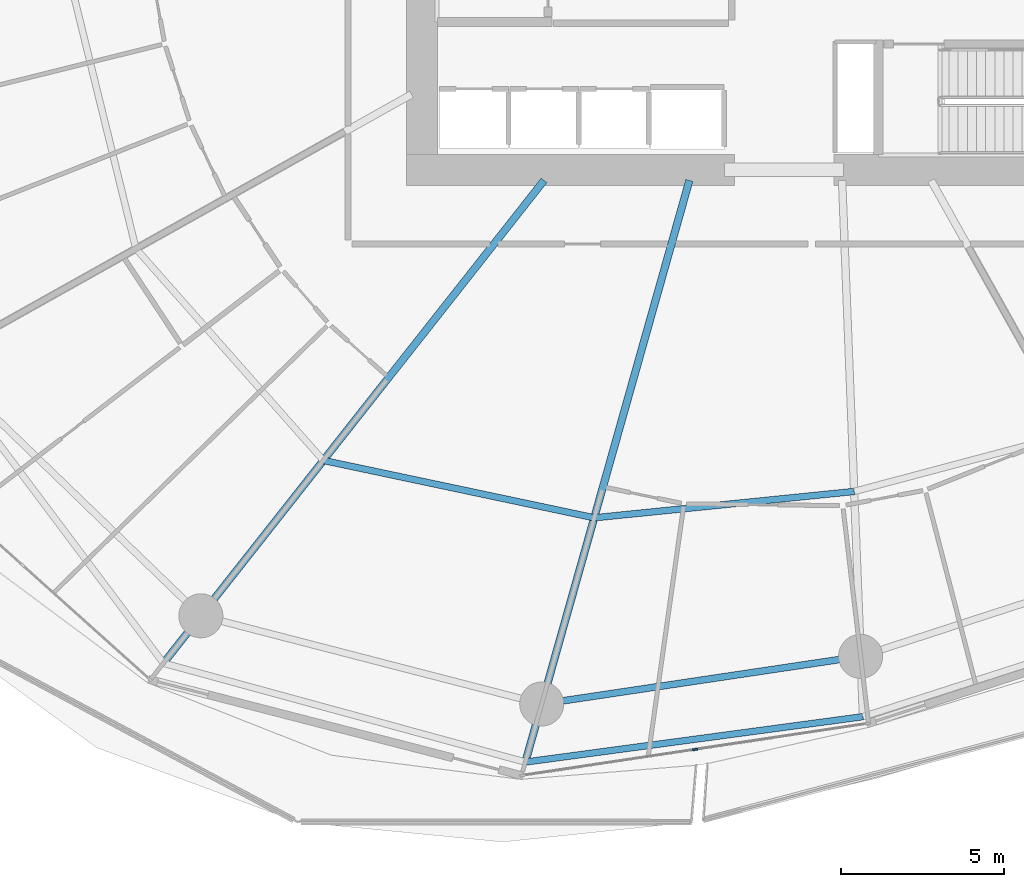
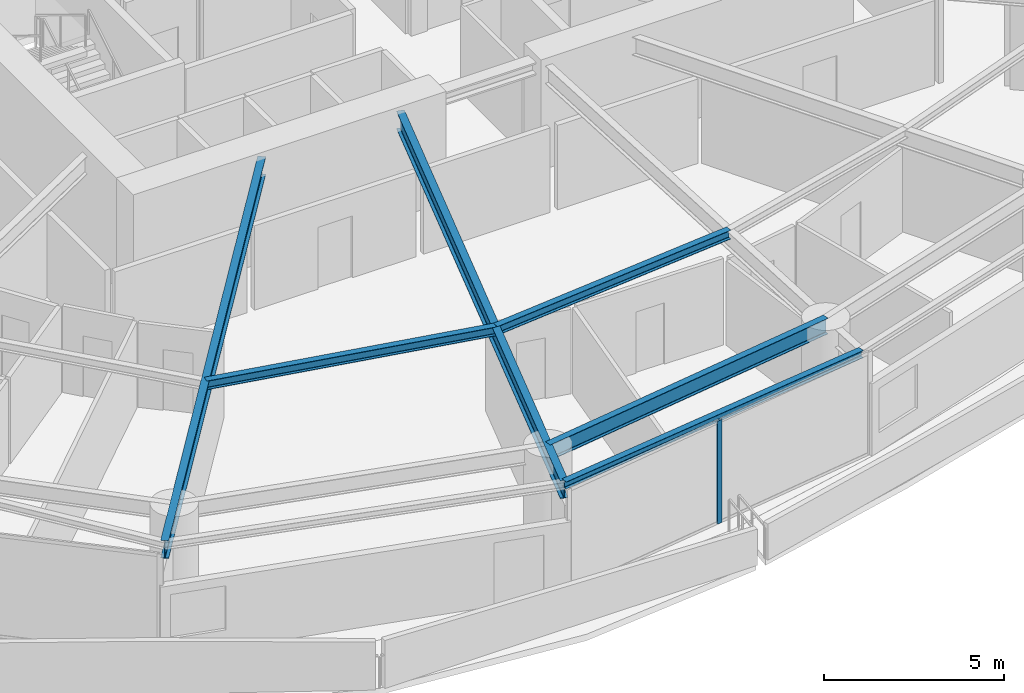
# One storey, part 7 of 31: 6 beams, 1 member, 1 element without a shape of its own.
"""IFC4 building model written with IfcOpenShell, lengths in metres."""

from ifc_helpers import new_model, si_unit, direction, frame, origin, origin_2d, place, context, subcontext, project, spatial, rectangle, i_section, extrude, material, layer, layer_set, material_profile, profile_set, type_object, element, aggregate, save


model = new_model("IFC4")

# Units and contexts
model_context = context("Model", 3, precision=1e-05, world=origin(), true_north=direction((0.0, 1.0)))
body_context = subcontext(model_context, "Body", "Model", "MODEL_VIEW")
ifc_project = project(units=[si_unit("LENGTHUNIT", "METRE"), si_unit("AREAUNIT", "SQUARE_METRE"), si_unit("VOLUMEUNIT", "CUBIC_METRE"), si_unit("PLANEANGLEUNIT", "RADIAN"), si_unit("MASSUNIT", "GRAM", prefix="KILO")], contexts=[model_context])

# Site, building, storey
site_placement = place(None, origin())
site = spatial("IfcSite", under=ifc_project, at=site_placement, CompositionType="ELEMENT")
building_placement = place(site_placement, origin())
building = spatial("IfcBuilding", under=site, at=building_placement, Name="Kazma Halo Residences", CompositionType="ELEMENT")
storey_placement = place(building_placement, frame((0.0, 0.0, 60.14990234375)))
storey = spatial("IfcBuildingStorey", under=building, at=storey_placement, Name="L14", CompositionType="ELEMENT", Elevation=60.14990234375)

# Beams
ifc_material_1 = material(Name="Steel S355", Category="steel")
ifc_material_profile_1 = material_profile(ifc_material_1, i_section(OverallWidth=0.201904296875, OverallDepth=0.2470703125, WebThickness=0.00732421875, FlangeThickness=0.010986328125, FilletRadius=0.011962890625, at=origin_2d()), Name="W250x49.1")
ifc_profile_set_1 = profile_set([ifc_material_profile_1], Name="Steel S355")
beam_type_1 = type_object("IfcBeamType", Name="BM-BAL-CANT", PredefinedType="BEAM", material=ifc_profile_set_1)
beam_1_placement = place(storey_placement, frame((40.489501953125, 15.3701171875, 3.376708984375), z_axis=(0.991080087388, 0.133267626912, 0.0), x_axis=(-0.133267626912, 0.991080087388, 0.0)))
element("IfcBeam", 1, at=beam_1_placement, inside=storey, type_object=beam_type_1, Name="L14 wave-balcony tie beam 11", PredefinedType="BEAM", context=body_context, shape_type="SweptSolid", body=[
    extrude(i_section(OverallWidth=0.201904296875, OverallDepth=0.2470703125, WebThickness=0.00732421875, FlangeThickness=0.010986328125, FilletRadius=0.011962890625, at=origin_2d()), origin(), (0.0, 0.0, 1.0), 10.444091796875),
])
ifc_material_profile_2 = material_profile(ifc_material_1, i_section(OverallWidth=0.22802734375, OverallDepth=0.60791015625, WebThickness=0.01123046875, FlangeThickness=0.017333984375, FilletRadius=0.01806640625, at=origin_2d()), Name="W610x113")
ifc_profile_set_2 = profile_set([ifc_material_profile_2], Name="Steel S355")
beam_type_2 = type_object("IfcBeamType", Name="BM-RAD-W610", PredefinedType="BEAM", material=ifc_profile_set_2)
beam_2_placement = place(storey_placement, frame((41.0625, 33.199951171875, 3.196044921875), z_axis=(-0.619092154321, -0.785318345932, 0.0), x_axis=(0.785318345932, -0.619092154321, 0.0)))
element("IfcBeam", 2, at=beam_2_placement, inside=storey, type_object=beam_type_2, Name="L14 radial floor beam 10", PredefinedType="BEAM", context=body_context, shape_type="SweptSolid", body=[
    extrude(i_section(OverallWidth=0.22802734375, OverallDepth=0.60791015625, WebThickness=0.01123046875, FlangeThickness=0.017333984375, FilletRadius=0.01806640625, at=origin_2d()), origin(), (0.0, 0.0, 1.0), 18.84375),
])
beam_3_placement = place(storey_placement, frame((45.51806640625, 33.199951171875, 3.196044921875), z_axis=(-0.271442010129, -0.962454796412, 0.0), x_axis=(0.962454796412, -0.271442010129, 0.0)))
element("IfcBeam", 3, at=beam_3_placement, inside=storey, type_object=beam_type_2, Name="L14 radial floor beam 11", PredefinedType="BEAM", context=body_context, shape_type="SweptSolid", body=[
    extrude(i_section(OverallWidth=0.22802734375, OverallDepth=0.60791015625, WebThickness=0.01123046875, FlangeThickness=0.017333984375, FilletRadius=0.01806640625, at=origin_2d()), origin(), (0.0, 0.0, 1.0), 18.525390625),
])
ifc_material_profile_3 = material_profile(ifc_material_1, i_section(OverallWidth=0.202880859375, OverallDepth=0.302978515625, WebThickness=0.007568359375, FlangeThickness=0.01318359375, FilletRadius=0.013916015625, at=origin_2d()), Name="W310x60")
ifc_profile_set_3 = profile_set([ifc_material_profile_3], Name="Steel S355")
beam_type_3 = type_object("IfcBeamType", Name="BM-SEC-W310A", PredefinedType="JOIST", material=ifc_profile_set_3)
beam_4_placement = place(storey_placement, frame((34.296142578125, 24.616943359375, 3.3486328125), z_axis=(0.97831665719, -0.207114746615, 0.0), x_axis=(0.207114746615, 0.97831665719, 0.0)))
element("IfcBeam", 4, at=beam_4_placement, inside=storey, type_object=beam_type_3, Name="L14 circumferential floor joist 10", PredefinedType="JOIST", context=body_context, shape_type="SweptSolid", body=[
    extrude(i_section(OverallWidth=0.202880859375, OverallDepth=0.302978515625, WebThickness=0.007568359375, FlangeThickness=0.01318359375, FilletRadius=0.013916015625, at=origin_2d()), origin(), (0.0, 0.0, 1.0), 8.489501953125),
])
beam_5_placement = place(storey_placement, frame((42.6015625, 22.858642578125, 3.3486328125), z_axis=(0.994907811148, 0.100789123008, 0.0), x_axis=(-0.100789123008, 0.994907811148, 0.0)))
element("IfcBeam", 5, at=beam_5_placement, inside=storey, type_object=beam_type_3, Name="L14 circumferential floor joist 11", PredefinedType="JOIST", context=body_context, shape_type="SweptSolid", body=[
    extrude(i_section(OverallWidth=0.202880859375, OverallDepth=0.302978515625, WebThickness=0.007568359375, FlangeThickness=0.01318359375, FilletRadius=0.013916015625, at=origin_2d()), origin(), (0.0, 0.0, 1.0), 8.010498046875),
])
ifc_material_profile_4 = material_profile(ifc_material_1, i_section(OverallWidth=0.208984375, OverallDepth=0.532958984375, WebThickness=0.01025390625, FlangeThickness=0.015625, FilletRadius=0.01611328125, at=origin_2d()), Name="W530x92")
ifc_profile_set_4 = profile_set([ifc_material_profile_4], Name="Steel S355")
beam_type_4 = type_object("IfcBeamType", Name="BM-SPN-W530", PredefinedType="BEAM", material=ifc_profile_set_4)
beam_6_placement = place(storey_placement, frame((40.99169921875, 17.150634765625, 3.233642578125), z_axis=(0.989033061974, 0.147694286693, 0.0), x_axis=(-0.147694286693, 0.989033061974, 0.0)))
element("IfcBeam", 6, at=beam_6_placement, inside=storey, type_object=beam_type_4, Name="L14 perimeter ring beam 11", PredefinedType="BEAM", context=body_context, shape_type="SweptSolid", body=[
    extrude(i_section(OverallWidth=0.208984375, OverallDepth=0.532958984375, WebThickness=0.01025390625, FlangeThickness=0.015625, FilletRadius=0.01611328125, at=origin_2d()), origin(), (0.0, 0.0, 1.0), 9.885009765625),
])

# Curtain wall, member
ifc_material_2 = material(Name="Aluminium AW-6063 T6 and Triple-Silver Low-E Glass", Category="aluminium")
ifc_layer = layer(ifc_material_2, 0.159912109375)
ifc_layer_set = layer_set([ifc_layer], Name="Aluminium AW-6063 T6 and Triple-Silver Low-E Glass")
curtain_wall_type = type_object("IfcCurtainWallType", Name="CW-SYS-2", PredefinedType="NOTDEFINED", material=ifc_layer_set)
curtain_wall_placement = place(storey_placement, origin())
curtain_wall = element("IfcCurtainWall", 7, at=curtain_wall_placement, inside=storey, type_object=curtain_wall_type, Name="L14 unitised curtain wall B11", PredefinedType="NOTDEFINED")
ifc_material_3 = material(Name="Aluminium AW-6063 T6", Category="aluminium")
ifc_material_profile_5 = material_profile(ifc_material_3, rectangle(XDim=0.06005859375, YDim=0.159912109375, at=origin_2d()), Name="CWM-60x160")
ifc_profile_set_5 = profile_set([ifc_material_profile_5], Name="Aluminium AW-6063 T6")
member_type = type_object("IfcMemberType", Name="CW-SYS-2-MUL", PredefinedType="MULLION", material=ifc_profile_set_5)
member_placement = place(storey_placement, frame((45.6923828125, 15.75732421875, 0.0), z_axis=(0.0, 0.0, 1.0), x_axis=(-0.148657272805, 0.988888777994, 0.0)))
member = element("IfcMember", 8, at=member_placement, type_object=member_type, Name="CWS-2 mullion 2", PredefinedType="MULLION", context=body_context, shape_type="SweptSolid", body=[
    extrude(rectangle(XDim=0.06005859375, YDim=0.159912109375, at=origin_2d()), origin(), (0.0, 0.0, 1.0), 3.5),
])
aggregate(curtain_wall, [member])

save(model, "model.ifc")
